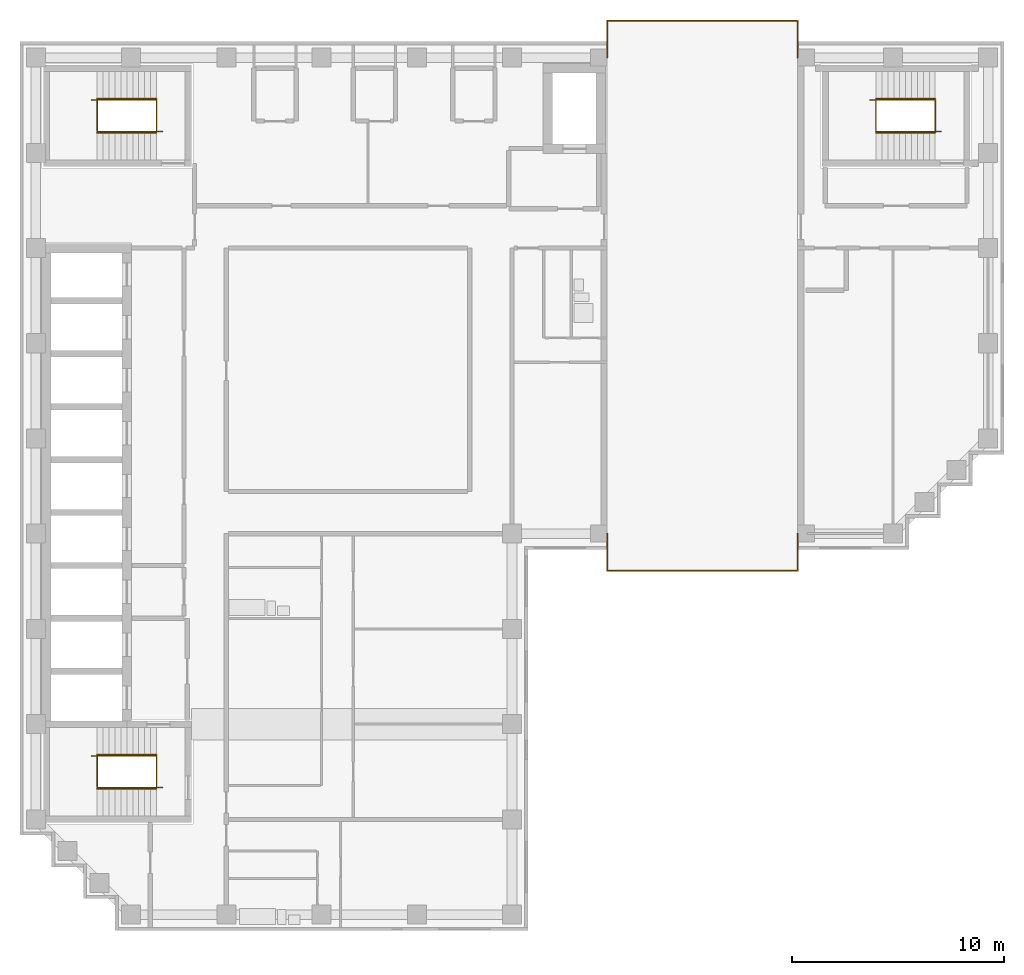
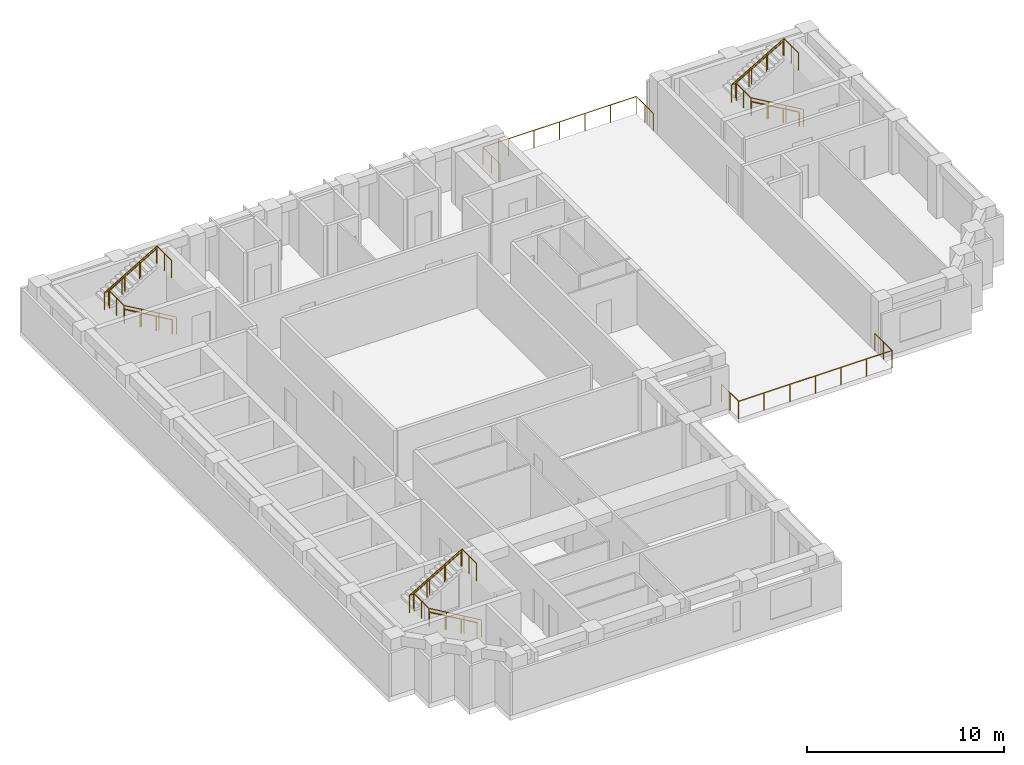
# One storey, part 6 of 7: 11 railings.
"""IFC4 building model written with IfcOpenShell, lengths in metres."""

from ifc_helpers import new_model, si_unit, direction, frame, origin, origin_2d, place, context, subcontext, project, spatial, circle, extrude, material, type_object, element, save


model = new_model("IFC4")

# Units and contexts
model_context = context("Model", 3, precision=1e-05, world=origin(), true_north=direction((0.0, 1.0)))
body_context = subcontext(model_context, "Body", "Model", "MODEL_VIEW")
ifc_project = project(units=[si_unit("LENGTHUNIT", "METRE"), si_unit("AREAUNIT", "SQUARE_METRE"), si_unit("VOLUMEUNIT", "CUBIC_METRE"), si_unit("PLANEANGLEUNIT", "RADIAN"), si_unit("MASSUNIT", "GRAM", prefix="KILO")], contexts=[model_context])

# Site, building, storey
site_placement = place(None, origin())
site = spatial("IfcSite", under=ifc_project, at=site_placement, CompositionType="ELEMENT")
building_placement = place(site_placement, origin())
building = spatial("IfcBuilding", under=site, at=building_placement, Name="Firuza Court", CompositionType="ELEMENT")
storey_placement = place(building_placement, frame((0.0, 0.0, 240.199951171875)))
storey = spatial("IfcBuildingStorey", under=building, at=storey_placement, Name="L62", CompositionType="ELEMENT", Elevation=240.199951171875)

# Railings
ifc_material_1 = material(Name="Steel S355", Category="steel")
railing_type_1 = type_object("IfcRailingType", Name="Handrail 900", PredefinedType="HANDRAIL", material=ifc_material_1)
railing_1_placement = place(storey_placement, frame((42.5, 54.949951171875, 0.16357421875)))
element("IfcRailing", 1, at=railing_1_placement, inside=storey, type_object=railing_type_1, Name="Handrail S1 flight 1", PredefinedType="HANDRAIL", context=body_context, shape_type="SweptSolid", body=[
    extrude(circle(Radius=0.02490234375, at=origin_2d()), frame((0.0, 0.0, 0.875), z_axis=(-0.863360870873, 0.0, 0.504586966384), x_axis=(0.0, -1.0, 0.0)), (0.0, 0.0, 1.0), 3.2431640625),
    extrude(circle(Radius=0.02001953125, at=origin_2d()), origin(), (0.0, 0.0, 1.0), 0.849853515625),
    extrude(circle(Radius=0.02001953125, at=origin_2d()), frame((-0.933349609375, 0.0, 0.54541015625)), (0.0, 0.0, 1.0), 0.849853515625),
    extrude(circle(Radius=0.02001953125, at=origin_2d()), frame((-1.86669921875, 0.0, 1.091064453125)), (0.0, 0.0, 1.0), 0.849853515625),
    extrude(circle(Radius=0.02001953125, at=origin_2d()), frame((-2.800048828125, 0.0, 1.636474609375)), (0.0, 0.0, 1.0), 0.849853515625),
])
railing_2_placement = place(storey_placement, frame((39.699951171875, 56.550048828125, 1.963623046875)))
element("IfcRailing", 2, at=railing_2_placement, inside=storey, type_object=railing_type_1, Name="Handrail S1 flight 2", PredefinedType="HANDRAIL", context=body_context, shape_type="SweptSolid", body=[
    extrude(circle(Radius=0.02490234375, at=origin_2d()), frame((0.0, 0.0, 0.875), z_axis=(0.863360870873, 0.0, 0.504586966384), x_axis=(0.0, 1.0, 0.0)), (0.0, 0.0, 1.0), 3.2431640625),
    extrude(circle(Radius=0.02001953125, at=origin_2d()), origin(), (0.0, 0.0, 1.0), 0.849853515625),
    extrude(circle(Radius=0.02001953125, at=origin_2d()), frame((0.933349609375, 0.0, 0.54541015625)), (0.0, 0.0, 1.0), 0.849853515625),
    extrude(circle(Radius=0.02001953125, at=origin_2d()), frame((1.86669921875, 0.0, 1.091064453125)), (0.0, 0.0, 1.0), 0.849853515625),
    extrude(circle(Radius=0.02001953125, at=origin_2d()), frame((2.800048828125, 0.0, 1.636474609375)), (0.0, 0.0, 1.0), 0.849853515625),
])
railing_3_placement = place(storey_placement, frame((5.699951171875, 23.949951171875, 0.16357421875)))
element("IfcRailing", 3, at=railing_3_placement, inside=storey, type_object=railing_type_1, Name="Handrail S2 flight 1", PredefinedType="HANDRAIL", context=body_context, shape_type="SweptSolid", body=[
    extrude(circle(Radius=0.02490234375, at=origin_2d()), frame((0.0, 0.0, 0.875), z_axis=(-0.863360870873, 0.0, 0.504586966384), x_axis=(0.0, -1.0, 0.0)), (0.0, 0.0, 1.0), 3.2431640625),
    extrude(circle(Radius=0.02001953125, at=origin_2d()), origin(), (0.0, 0.0, 1.0), 0.849853515625),
    extrude(circle(Radius=0.02001953125, at=origin_2d()), frame((-0.933349609375, 0.0, 0.54541015625)), (0.0, 0.0, 1.0), 0.849853515625),
    extrude(circle(Radius=0.02001953125, at=origin_2d()), frame((-1.86669921875, 0.0, 1.091064453125)), (0.0, 0.0, 1.0), 0.849853515625),
    extrude(circle(Radius=0.02001953125, at=origin_2d()), frame((-2.800048828125, 0.0, 1.636474609375)), (0.0, 0.0, 1.0), 0.849853515625),
])
railing_4_placement = place(storey_placement, frame((2.89990234375, 25.550048828125, 1.963623046875)))
element("IfcRailing", 4, at=railing_4_placement, inside=storey, type_object=railing_type_1, Name="Handrail S2 flight 2", PredefinedType="HANDRAIL", context=body_context, shape_type="SweptSolid", body=[
    extrude(circle(Radius=0.02490234375, at=origin_2d()), frame((0.0, 0.0, 0.875), z_axis=(0.863360870873, 0.0, 0.504586966384), x_axis=(0.0, 1.0, 0.0)), (0.0, 0.0, 1.0), 3.2431640625),
    extrude(circle(Radius=0.02001953125, at=origin_2d()), origin(), (0.0, 0.0, 1.0), 0.849853515625),
    extrude(circle(Radius=0.02001953125, at=origin_2d()), frame((0.933349609375, 0.0, 0.54541015625)), (0.0, 0.0, 1.0), 0.849853515625),
    extrude(circle(Radius=0.02001953125, at=origin_2d()), frame((1.86669921875, 0.0, 1.091064453125)), (0.0, 0.0, 1.0), 0.849853515625),
    extrude(circle(Radius=0.02001953125, at=origin_2d()), frame((2.800048828125, 0.0, 1.636474609375)), (0.0, 0.0, 1.0), 0.849853515625),
])
railing_5_placement = place(storey_placement, frame((5.699951171875, 54.949951171875, 0.16357421875)))
element("IfcRailing", 5, at=railing_5_placement, inside=storey, type_object=railing_type_1, Name="Handrail S3 flight 1", PredefinedType="HANDRAIL", context=body_context, shape_type="SweptSolid", body=[
    extrude(circle(Radius=0.02490234375, at=origin_2d()), frame((0.0, 0.0, 0.875), z_axis=(-0.863360870873, 0.0, 0.504586966384), x_axis=(0.0, -1.0, 0.0)), (0.0, 0.0, 1.0), 3.2431640625),
    extrude(circle(Radius=0.02001953125, at=origin_2d()), origin(), (0.0, 0.0, 1.0), 0.849853515625),
    extrude(circle(Radius=0.02001953125, at=origin_2d()), frame((-0.933349609375, 0.0, 0.54541015625)), (0.0, 0.0, 1.0), 0.849853515625),
    extrude(circle(Radius=0.02001953125, at=origin_2d()), frame((-1.86669921875, 0.0, 1.091064453125)), (0.0, 0.0, 1.0), 0.849853515625),
    extrude(circle(Radius=0.02001953125, at=origin_2d()), frame((-2.800048828125, 0.0, 1.636474609375)), (0.0, 0.0, 1.0), 0.849853515625),
])
railing_6_placement = place(storey_placement, frame((2.89990234375, 56.550048828125, 1.963623046875)))
element("IfcRailing", 6, at=railing_6_placement, inside=storey, type_object=railing_type_1, Name="Handrail S3 flight 2", PredefinedType="HANDRAIL", context=body_context, shape_type="SweptSolid", body=[
    extrude(circle(Radius=0.02490234375, at=origin_2d()), frame((0.0, 0.0, 0.875), z_axis=(0.863360870873, 0.0, 0.504586966384), x_axis=(0.0, 1.0, 0.0)), (0.0, 0.0, 1.0), 3.2431640625),
    extrude(circle(Radius=0.02001953125, at=origin_2d()), origin(), (0.0, 0.0, 1.0), 0.849853515625),
    extrude(circle(Radius=0.02001953125, at=origin_2d()), frame((0.933349609375, 0.0, 0.54541015625)), (0.0, 0.0, 1.0), 0.849853515625),
    extrude(circle(Radius=0.02001953125, at=origin_2d()), frame((1.86669921875, 0.0, 1.091064453125)), (0.0, 0.0, 1.0), 0.849853515625),
    extrude(circle(Radius=0.02001953125, at=origin_2d()), frame((2.800048828125, 0.0, 1.636474609375)), (0.0, 0.0, 1.0), 0.849853515625),
])
ifc_material_2 = material(Name="Stainless steel 1.4301", Category="steel")
railing_type_2 = type_object("IfcRailingType", Name="Portal guard 1100", PredefinedType="GUARDRAIL", material=ifc_material_2)
railing_7_placement = place(storey_placement, frame((36.0, 36.0, 0.0)))
element("IfcRailing", 7, at=railing_7_placement, inside=storey, type_object=railing_type_2, Name="GUARD L62 wind portal", PredefinedType="GUARDRAIL", context=body_context, shape_type="SweptSolid", body=[
    extrude(circle(Radius=0.02490234375, at=origin_2d()), frame((0.0, 0.0, 1.0751953125), z_axis=(0.0, -1.0, 0.0), x_axis=(1.0, 0.0, 0.0)), (0.0, 0.0, 1.0), 1.75),
    extrude(circle(Radius=0.02490234375, at=origin_2d()), frame((0.0, -1.75, 1.0751953125), z_axis=(-1.0, 0.0, 0.0), x_axis=(0.0, -1.0, 0.0)), (0.0, 0.0, 1.0), 9.0),
    extrude(circle(Radius=0.02490234375, at=origin_2d()), frame((-9.0, -1.75, 1.0751953125), z_axis=(0.0, 1.0, 0.0), x_axis=(-1.0, 0.0, 0.0)), (0.0, 0.0, 1.0), 1.75),
    extrude(circle(Radius=0.02490234375, at=origin_2d()), origin(), (0.0, 0.0, 1.0), 1.050048828125),
    extrude(circle(Radius=0.02490234375, at=origin_2d()), frame((0.0, -0.875, 0.0)), (0.0, 0.0, 1.0), 1.050048828125),
    extrude(circle(Radius=0.02490234375, at=origin_2d()), frame((0.0, -1.75, 0.0)), (0.0, 0.0, 1.0), 1.050048828125),
    extrude(circle(Radius=0.02490234375, at=origin_2d()), frame((-1.5, -1.75, 0.0)), (0.0, 0.0, 1.0), 1.050048828125),
    extrude(circle(Radius=0.02490234375, at=origin_2d()), frame((-3.0, -1.75, 0.0)), (0.0, 0.0, 1.0), 1.050048828125),
    extrude(circle(Radius=0.02490234375, at=origin_2d()), frame((-4.5, -1.75, 0.0)), (0.0, 0.0, 1.0), 1.050048828125),
    extrude(circle(Radius=0.02490234375, at=origin_2d()), frame((-6.0, -1.75, 0.0)), (0.0, 0.0, 1.0), 1.050048828125),
    extrude(circle(Radius=0.02490234375, at=origin_2d()), frame((-7.5, -1.75, 0.0)), (0.0, 0.0, 1.0), 1.050048828125),
    extrude(circle(Radius=0.02490234375, at=origin_2d()), frame((-9.0, -1.75, 0.0)), (0.0, 0.0, 1.0), 1.050048828125),
    extrude(circle(Radius=0.02490234375, at=origin_2d()), frame((-9.0, -0.875, 0.0)), (0.0, 0.0, 1.0), 1.050048828125),
    extrude(circle(Radius=0.02490234375, at=origin_2d()), frame((-9.0, 0.0, 0.0)), (0.0, 0.0, 1.0), 1.050048828125),
])
railing_8_placement = place(storey_placement, frame((27.0, 58.5, 0.0)))
element("IfcRailing", 8, at=railing_8_placement, inside=storey, type_object=railing_type_2, Name="GUARD L62 wind portal", PredefinedType="GUARDRAIL", context=body_context, shape_type="SweptSolid", body=[
    extrude(circle(Radius=0.02490234375, at=origin_2d()), frame((0.0, 0.0, 1.0751953125), z_axis=(0.0, 1.0, 0.0), x_axis=(-1.0, 0.0, 0.0)), (0.0, 0.0, 1.0), 1.75),
    extrude(circle(Radius=0.02490234375, at=origin_2d()), frame((0.0, 1.75, 1.0751953125), z_axis=(1.0, 0.0, 0.0), x_axis=(0.0, 1.0, 0.0)), (0.0, 0.0, 1.0), 9.0),
    extrude(circle(Radius=0.02490234375, at=origin_2d()), frame((9.0, 1.75, 1.0751953125), z_axis=(0.0, -1.0, 0.0), x_axis=(1.0, 0.0, 0.0)), (0.0, 0.0, 1.0), 1.75),
    extrude(circle(Radius=0.02490234375, at=origin_2d()), origin(), (0.0, 0.0, 1.0), 1.050048828125),
    extrude(circle(Radius=0.02490234375, at=origin_2d()), frame((0.0, 0.875, 0.0)), (0.0, 0.0, 1.0), 1.050048828125),
    extrude(circle(Radius=0.02490234375, at=origin_2d()), frame((0.0, 1.75, 0.0)), (0.0, 0.0, 1.0), 1.050048828125),
    extrude(circle(Radius=0.02490234375, at=origin_2d()), frame((1.5, 1.75, 0.0)), (0.0, 0.0, 1.0), 1.050048828125),
    extrude(circle(Radius=0.02490234375, at=origin_2d()), frame((3.0, 1.75, 0.0)), (0.0, 0.0, 1.0), 1.050048828125),
    extrude(circle(Radius=0.02490234375, at=origin_2d()), frame((4.5, 1.75, 0.0)), (0.0, 0.0, 1.0), 1.050048828125),
    extrude(circle(Radius=0.02490234375, at=origin_2d()), frame((6.0, 1.75, 0.0)), (0.0, 0.0, 1.0), 1.050048828125),
    extrude(circle(Radius=0.02490234375, at=origin_2d()), frame((7.5, 1.75, 0.0)), (0.0, 0.0, 1.0), 1.050048828125),
    extrude(circle(Radius=0.02490234375, at=origin_2d()), frame((9.0, 1.75, 0.0)), (0.0, 0.0, 1.0), 1.050048828125),
    extrude(circle(Radius=0.02490234375, at=origin_2d()), frame((9.0, 0.875, 0.0)), (0.0, 0.0, 1.0), 1.050048828125),
    extrude(circle(Radius=0.02490234375, at=origin_2d()), frame((9.0, 0.0, 0.0)), (0.0, 0.0, 1.0), 1.050048828125),
])
ifc_material_3 = material(Name="Steel S355", Category="steel")
railing_type_3 = type_object("IfcRailingType", Name="Stair guard 1100", PredefinedType="GUARDRAIL", material=ifc_material_3)
railing_9_placement = place(storey_placement, frame((42.780029296875, 55.010009765625, 0.0)))
element("IfcRailing", 9, at=railing_9_placement, inside=storey, type_object=railing_type_3, Name="Stair well guard S1", PredefinedType="GUARDRAIL", context=body_context, shape_type="SweptSolid", body=[
    extrude(circle(Radius=0.02490234375, at=origin_2d()), frame((0.0, 0.0, 1.0751953125), z_axis=(-0.863371556955, 0.0, 0.504568681787), x_axis=(0.0, -1.0, 0.0)), (0.0, 0.0, 1.0), 3.5673828125),
    extrude(circle(Radius=0.02490234375, at=origin_2d()), frame((-3.080078125, 0.0, 2.875), z_axis=(0.0, 1.0, 0.0), x_axis=(-1.0, 0.0, 0.0)), (0.0, 0.0, 1.0), 1.47998046875),
    extrude(circle(Radius=0.02490234375, at=origin_2d()), frame((-3.080078125, 1.47998046875, 2.875), z_axis=(-1.0, 0.0, 0.0), x_axis=(0.0, -1.0, 0.0)), (0.0, 0.0, 1.0), 0.280029296875),
    extrude(circle(Radius=0.02490234375, at=origin_2d()), frame((-3.360107421875, 1.47998046875, 2.875), z_axis=(0.863371556955, 0.0, 0.504568681787), x_axis=(0.0, 1.0, 0.0)), (0.0, 0.0, 1.0), 3.5673828125),
    extrude(circle(Radius=0.02490234375, at=origin_2d()), frame((-0.280029296875, 1.47998046875, 4.67529296875), z_axis=(0.0, -1.0, 0.0), x_axis=(1.0, 0.0, 0.0)), (0.0, 0.0, 1.0), 1.47998046875),
    extrude(circle(Radius=0.02490234375, at=origin_2d()), origin(), (0.0, 0.0, 1.0), 1.050048828125),
    extrude(circle(Radius=0.02490234375, at=origin_2d()), frame((-1.026611328125, 0.0, 0.60009765625)), (0.0, 0.0, 1.0), 1.050048828125),
    extrude(circle(Radius=0.02490234375, at=origin_2d()), frame((-2.053466796875, 0.0, 1.199951171875)), (0.0, 0.0, 1.0), 1.050048828125),
    extrude(circle(Radius=0.02490234375, at=origin_2d()), frame((-3.080078125, 0.0, 1.800048828125)), (0.0, 0.0, 1.0), 1.050048828125),
    extrude(circle(Radius=0.02490234375, at=origin_2d()), frame((-3.080078125, 0.739990234375, 1.800048828125)), (0.0, 0.0, 1.0), 1.050048828125),
    extrude(circle(Radius=0.02490234375, at=origin_2d()), frame((-3.080078125, 1.47998046875, 1.800048828125)), (0.0, 0.0, 1.0), 1.050048828125),
    extrude(circle(Radius=0.02490234375, at=origin_2d()), frame((-3.360107421875, 1.47998046875, 1.800048828125)), (0.0, 0.0, 1.0), 1.050048828125),
    extrude(circle(Radius=0.02490234375, at=origin_2d()), frame((-2.33349609375, 1.47998046875, 2.400146484375)), (0.0, 0.0, 1.0), 1.050048828125),
    extrude(circle(Radius=0.02490234375, at=origin_2d()), frame((-1.306640625, 1.47998046875, 3.0)), (0.0, 0.0, 1.0), 1.050048828125),
    extrude(circle(Radius=0.02490234375, at=origin_2d()), frame((-0.280029296875, 1.47998046875, 3.60009765625)), (0.0, 0.0, 1.0), 1.050048828125),
    extrude(circle(Radius=0.02490234375, at=origin_2d()), frame((-0.280029296875, 0.739990234375, 3.60009765625)), (0.0, 0.0, 1.0), 1.050048828125),
    extrude(circle(Radius=0.02490234375, at=origin_2d()), frame((-0.280029296875, 0.0, 3.60009765625)), (0.0, 0.0, 1.0), 1.050048828125),
])
railing_10_placement = place(storey_placement, frame((5.97998046875, 24.010009765625, 0.0)))
element("IfcRailing", 10, at=railing_10_placement, inside=storey, type_object=railing_type_3, Name="Stair well guard S2", PredefinedType="GUARDRAIL", context=body_context, shape_type="SweptSolid", body=[
    extrude(circle(Radius=0.02490234375, at=origin_2d()), frame((0.0, 0.0, 1.0751953125), z_axis=(-0.863371556955, 0.0, 0.504568681787), x_axis=(0.0, -1.0, 0.0)), (0.0, 0.0, 1.0), 3.5673828125),
    extrude(circle(Radius=0.02490234375, at=origin_2d()), frame((-3.080078125, 0.0, 2.875), z_axis=(0.0, 1.0, 0.0), x_axis=(-1.0, 0.0, 0.0)), (0.0, 0.0, 1.0), 1.47998046875),
    extrude(circle(Radius=0.02490234375, at=origin_2d()), frame((-3.080078125, 1.47998046875, 2.875), z_axis=(-1.0, 0.0, 0.0), x_axis=(0.0, -1.0, 0.0)), (0.0, 0.0, 1.0), 0.27978515625),
    extrude(circle(Radius=0.02490234375, at=origin_2d()), frame((-3.35986328125, 1.47998046875, 2.875), z_axis=(0.863354132664, 0.0, 0.504598495452), x_axis=(0.0, 1.0, 0.0)), (0.0, 0.0, 1.0), 3.5673828125),
    extrude(circle(Radius=0.02490234375, at=origin_2d()), frame((-0.280029296875, 1.47998046875, 4.67529296875), z_axis=(0.0, -1.0, 0.0), x_axis=(1.0, 0.0, 0.0)), (0.0, 0.0, 1.0), 1.47998046875),
    extrude(circle(Radius=0.02490234375, at=origin_2d()), origin(), (0.0, 0.0, 1.0), 1.050048828125),
    extrude(circle(Radius=0.02490234375, at=origin_2d()), frame((-1.026611328125, 0.0, 0.60009765625)), (0.0, 0.0, 1.0), 1.050048828125),
    extrude(circle(Radius=0.02490234375, at=origin_2d()), frame((-2.053466796875, 0.0, 1.199951171875)), (0.0, 0.0, 1.0), 1.050048828125),
    extrude(circle(Radius=0.02490234375, at=origin_2d()), frame((-3.080078125, 0.0, 1.800048828125)), (0.0, 0.0, 1.0), 1.050048828125),
    extrude(circle(Radius=0.02490234375, at=origin_2d()), frame((-3.080078125, 0.739990234375, 1.800048828125)), (0.0, 0.0, 1.0), 1.050048828125),
    extrude(circle(Radius=0.02490234375, at=origin_2d()), frame((-3.080078125, 1.47998046875, 1.800048828125)), (0.0, 0.0, 1.0), 1.050048828125),
    extrude(circle(Radius=0.02490234375, at=origin_2d()), frame((-3.35986328125, 1.47998046875, 1.800048828125)), (0.0, 0.0, 1.0), 1.050048828125),
    extrude(circle(Radius=0.02490234375, at=origin_2d()), frame((-2.333251953125, 1.47998046875, 2.400146484375)), (0.0, 0.0, 1.0), 1.050048828125),
    extrude(circle(Radius=0.02490234375, at=origin_2d()), frame((-1.306640625, 1.47998046875, 3.0)), (0.0, 0.0, 1.0), 1.050048828125),
    extrude(circle(Radius=0.02490234375, at=origin_2d()), frame((-0.280029296875, 1.47998046875, 3.60009765625)), (0.0, 0.0, 1.0), 1.050048828125),
    extrude(circle(Radius=0.02490234375, at=origin_2d()), frame((-0.280029296875, 0.739990234375, 3.60009765625)), (0.0, 0.0, 1.0), 1.050048828125),
    extrude(circle(Radius=0.02490234375, at=origin_2d()), frame((-0.280029296875, 0.0, 3.60009765625)), (0.0, 0.0, 1.0), 1.050048828125),
])
railing_11_placement = place(storey_placement, frame((5.97998046875, 55.010009765625, 0.0)))
element("IfcRailing", 11, at=railing_11_placement, inside=storey, type_object=railing_type_3, Name="Stair well guard S3", PredefinedType="GUARDRAIL", context=body_context, shape_type="SweptSolid", body=[
    extrude(circle(Radius=0.02490234375, at=origin_2d()), frame((0.0, 0.0, 1.0751953125), z_axis=(-0.863371556955, 0.0, 0.504568681787), x_axis=(0.0, -1.0, 0.0)), (0.0, 0.0, 1.0), 3.5673828125),
    extrude(circle(Radius=0.02490234375, at=origin_2d()), frame((-3.080078125, 0.0, 2.875), z_axis=(0.0, 1.0, 0.0), x_axis=(-1.0, 0.0, 0.0)), (0.0, 0.0, 1.0), 1.47998046875),
    extrude(circle(Radius=0.02490234375, at=origin_2d()), frame((-3.080078125, 1.47998046875, 2.875), z_axis=(-1.0, 0.0, 0.0), x_axis=(0.0, -1.0, 0.0)), (0.0, 0.0, 1.0), 0.27978515625),
    extrude(circle(Radius=0.02490234375, at=origin_2d()), frame((-3.35986328125, 1.47998046875, 2.875), z_axis=(0.863354132664, 0.0, 0.504598495452), x_axis=(0.0, 1.0, 0.0)), (0.0, 0.0, 1.0), 3.5673828125),
    extrude(circle(Radius=0.02490234375, at=origin_2d()), frame((-0.280029296875, 1.47998046875, 4.67529296875), z_axis=(0.0, -1.0, 0.0), x_axis=(1.0, 0.0, 0.0)), (0.0, 0.0, 1.0), 1.47998046875),
    extrude(circle(Radius=0.02490234375, at=origin_2d()), origin(), (0.0, 0.0, 1.0), 1.050048828125),
    extrude(circle(Radius=0.02490234375, at=origin_2d()), frame((-1.026611328125, 0.0, 0.60009765625)), (0.0, 0.0, 1.0), 1.050048828125),
    extrude(circle(Radius=0.02490234375, at=origin_2d()), frame((-2.053466796875, 0.0, 1.199951171875)), (0.0, 0.0, 1.0), 1.050048828125),
    extrude(circle(Radius=0.02490234375, at=origin_2d()), frame((-3.080078125, 0.0, 1.800048828125)), (0.0, 0.0, 1.0), 1.050048828125),
    extrude(circle(Radius=0.02490234375, at=origin_2d()), frame((-3.080078125, 0.739990234375, 1.800048828125)), (0.0, 0.0, 1.0), 1.050048828125),
    extrude(circle(Radius=0.02490234375, at=origin_2d()), frame((-3.080078125, 1.47998046875, 1.800048828125)), (0.0, 0.0, 1.0), 1.050048828125),
    extrude(circle(Radius=0.02490234375, at=origin_2d()), frame((-3.35986328125, 1.47998046875, 1.800048828125)), (0.0, 0.0, 1.0), 1.050048828125),
    extrude(circle(Radius=0.02490234375, at=origin_2d()), frame((-2.333251953125, 1.47998046875, 2.400146484375)), (0.0, 0.0, 1.0), 1.050048828125),
    extrude(circle(Radius=0.02490234375, at=origin_2d()), frame((-1.306640625, 1.47998046875, 3.0)), (0.0, 0.0, 1.0), 1.050048828125),
    extrude(circle(Radius=0.02490234375, at=origin_2d()), frame((-0.280029296875, 1.47998046875, 3.60009765625)), (0.0, 0.0, 1.0), 1.050048828125),
    extrude(circle(Radius=0.02490234375, at=origin_2d()), frame((-0.280029296875, 0.739990234375, 3.60009765625)), (0.0, 0.0, 1.0), 1.050048828125),
    extrude(circle(Radius=0.02490234375, at=origin_2d()), frame((-0.280029296875, 0.0, 3.60009765625)), (0.0, 0.0, 1.0), 1.050048828125),
])

save(model, "model.ifc")
